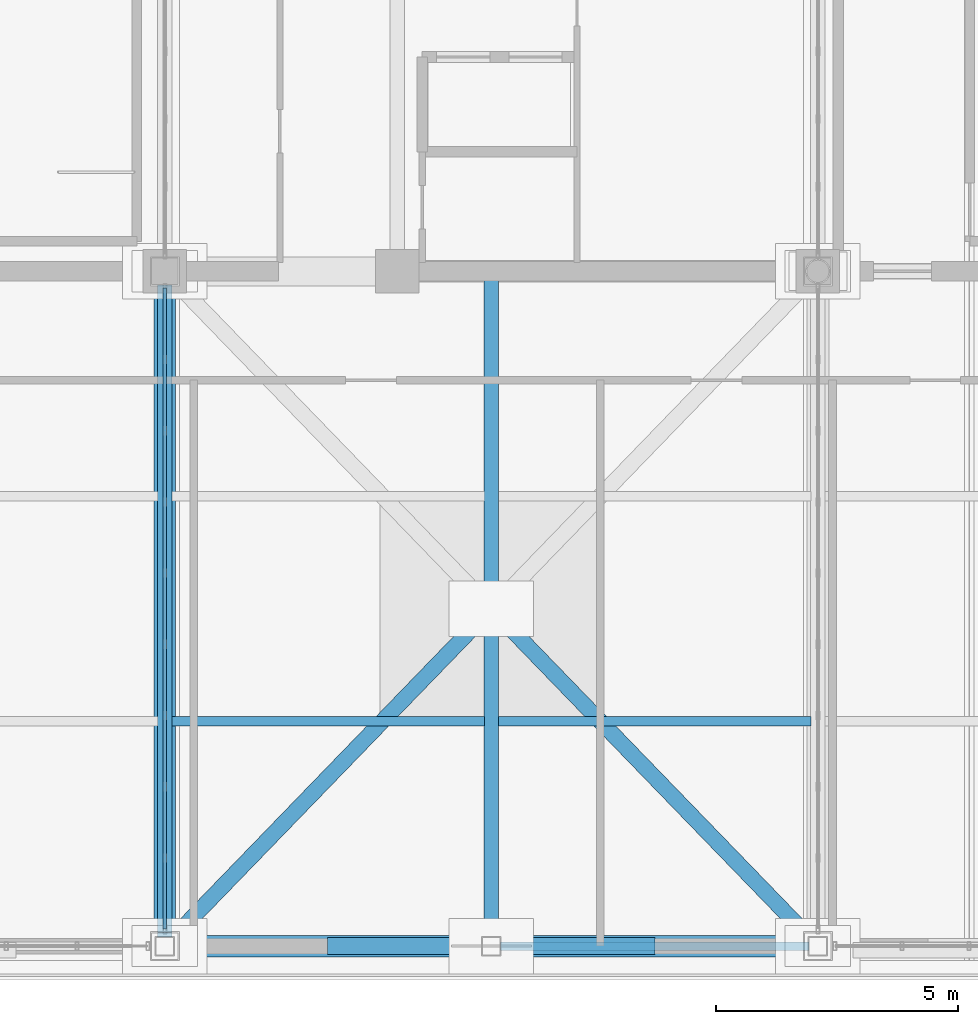
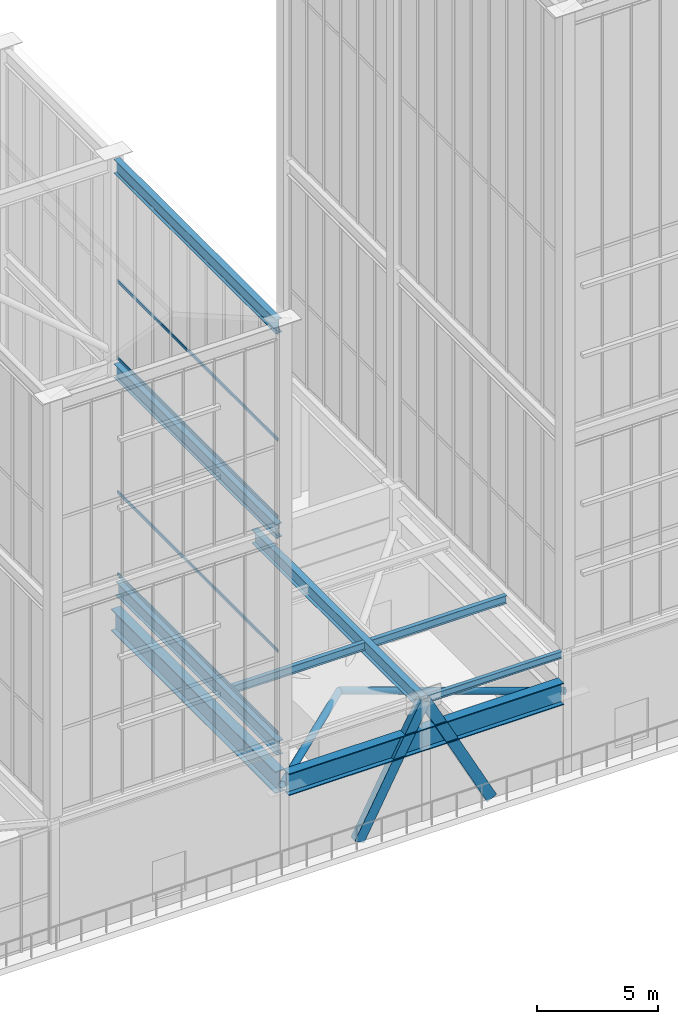
# One storey, part 14 of 135: 10 members, 9 beams, 2 elements without a shape of their own.
"""IFC4 building model written with IfcOpenShell, lengths in metres."""

from ifc_helpers import new_model, si_unit, direction, frame, origin, origin_2d, place, context, subcontext, project, spatial, hollow_rectangle, hollow_circle, i_section, extrude, source, transform, mapped, material, layer, layer_set, material_profile, profile_set, type_object, element, aggregate, save


model = new_model("IFC4")

# Units and contexts
model_context = context("Model", 3, precision=1e-05, world=origin(), true_north=direction((0.0, 1.0)))
body_context = subcontext(model_context, "Body", "Model", "MODEL_VIEW")
ifc_project = project(units=[si_unit("LENGTHUNIT", "METRE"), si_unit("AREAUNIT", "SQUARE_METRE"), si_unit("VOLUMEUNIT", "CUBIC_METRE"), si_unit("PLANEANGLEUNIT", "RADIAN"), si_unit("MASSUNIT", "GRAM", prefix="KILO")], contexts=[model_context])

# Site, building, storey
site_placement = place(None, origin())
site = spatial("IfcSite", under=ifc_project, at=site_placement, CompositionType="ELEMENT")
building_placement = place(site_placement, origin())
building = spatial("IfcBuilding", under=site, at=building_placement, Name="Giltprow Tower", CompositionType="ELEMENT")
storey_placement = place(building_placement, frame((0.0, 0.0, 352.699951171875)))
storey = spatial("IfcBuildingStorey", under=building, at=storey_placement, Name="L92", CompositionType="ELEMENT", Elevation=352.699951171875)

# Beams
ifc_material_1 = material(Name="Structural steel Q355B", Category="steel")
ifc_material_profile_1 = material_profile(ifc_material_1, i_section(OverallWidth=0.199951171875, OverallDepth=0.39990234375, WebThickness=0.008056640625, FlangeThickness=0.012939453125, at=origin_2d()), Name="HN 400x200x8x13")
ifc_profile_set_1 = profile_set([ifc_material_profile_1], Name="Structural steel Q355B")
beam_type_1 = type_object("IfcBeamType", Name="BM-JOIST-HN400", PredefinedType="JOIST", material=ifc_profile_set_1)
shared_shape_1 = source(origin(), body_context, "Body", "SweptSolid", [
    extrude(i_section(OverallWidth=0.199951171875, OverallDepth=0.39990234375, WebThickness=0.008056640625, FlangeThickness=0.012939453125, at=origin_2d()), origin(), (0.0, 0.0, 1.0), 6.4599609375),
])
for number, where, z_axis, x_axis, name in (
    (1, (30.945068359375, 28.14990234375, 5.9599609375), (1.0, 0.0, 0.0), (0.0, 1.0, 0.0), "L92 Composite Floor Joist 1-2"),
    (2, (37.695068359375, 28.14990234375, 5.9599609375), (1.0, 0.0, 0.0), (0.0, 1.0, 0.0), "L92 Composite Floor Joist 1-3"),
):
    element("IfcBeam", number, at=place(storey_placement, frame(where, z_axis=z_axis, x_axis=x_axis)), inside=storey, type_object=beam_type_1, Name=name, PredefinedType="JOIST", context=body_context, shape_type="MappedRepresentation", body=[
        mapped(shared_shape_1, transform((0.0, 0.0, 0.0), x_axis=(1.0, 0.0, 0.0), y_axis=(0.0, 1.0, 0.0), z_axis=(0.0, 0.0, 1.0), scale=1.0)),
    ])
ifc_material_profile_2 = material_profile(ifc_material_1, i_section(OverallWidth=0.175048828125, OverallDepth=0.35009765625, WebThickness=0.007080078125, FlangeThickness=0.010986328125, at=origin_2d()), Name="HN 350x175x7x11")
ifc_profile_set_2 = profile_set([ifc_material_profile_2], Name="Structural steel Q355B")
beam_type_2 = type_object("IfcBeamType", Name="BM-SPAN-HN350", PredefinedType="SPANDREL", material=ifc_profile_set_2)
shared_shape_2 = source(origin(), body_context, "Body", "SweptSolid", [
    extrude(i_section(OverallWidth=0.175048828125, OverallDepth=0.35009765625, WebThickness=0.007080078125, FlangeThickness=0.010986328125, at=origin_2d()), origin(), (0.0, 0.0, 1.0), 6.3798828125),
])
beam_1_placement = place(storey_placement, frame((37.735107421875, 23.5, 5.985107421875), z_axis=(1.0, 0.0, 0.0), x_axis=(0.0, 1.0, 0.0)))
element("IfcBeam", 3, at=beam_1_placement, inside=storey, type_object=beam_type_2, Name="L92 Perimeter Spandrel Beam S_MID-S3", PredefinedType="SPANDREL", context=body_context, shape_type="MappedRepresentation", body=[
    mapped(shared_shape_2, transform((0.0, 0.0, 0.0), x_axis=(1.0, 0.0, 0.0), y_axis=(0.0, 1.0, 0.0), z_axis=(0.0, 0.0, 1.0), scale=1.0)),
])
ifc_material_profile_3 = material_profile(ifc_material_1, i_section(OverallWidth=0.300048828125, OverallDepth=0.699951171875, WebThickness=0.012939453125, FlangeThickness=0.02392578125, at=origin_2d()), Name="HN 700x300x13x24")
ifc_profile_set_3 = profile_set([ifc_material_profile_3], Name="Structural steel Q355B")
beam_type_3 = type_object("IfcBeamType", Name="BM-GIRD-HN700", PredefinedType="BEAM", material=ifc_profile_set_3)
shared_shape_3 = source(origin(), body_context, "Body", "SweptSolid", [
    extrude(i_section(OverallWidth=0.300048828125, OverallDepth=0.699951171875, WebThickness=0.012939453125, FlangeThickness=0.02392578125, at=origin_2d()), origin(), (0.0, 0.0, 1.0), 13.329833984375),
])
beam_2_placement = place(storey_placement, frame((30.800048828125, 23.68505859375, 5.81005859375), z_axis=(0.0, 1.0, 0.0), x_axis=(-1.0, 0.0, 0.0)))
element("IfcBeam", 4, at=beam_2_placement, inside=storey, type_object=beam_type_3, Name="L92 Primary Lease Girder S2", PredefinedType="BEAM", context=body_context, shape_type="MappedRepresentation", body=[
    mapped(shared_shape_3, transform((0.0, 0.0, 0.0), x_axis=(1.0, 0.0, 0.0), y_axis=(0.0, 1.0, 0.0), z_axis=(0.0, 0.0, 1.0), scale=1.0)),
])
shared_shape_4 = source(origin(), body_context, "Body", "SweptSolid", [
    extrude(i_section(OverallWidth=0.300048828125, OverallDepth=0.699951171875, WebThickness=0.012939453125, FlangeThickness=0.02392578125, at=origin_2d()), origin(), (0.0, 0.0, 1.0), 13.949951171875),
])
beam_3_placement = place(storey_placement, frame((37.550048828125, 23.5, 5.81005859375), z_axis=(0.0, 1.0, 0.0), x_axis=(-1.0, 0.0, 0.0)))
element("IfcBeam", 5, at=beam_3_placement, inside=storey, type_object=beam_type_3, Name="L92 Central Lease Girder SMID", PredefinedType="BEAM", context=body_context, shape_type="MappedRepresentation", body=[
    mapped(shared_shape_4, transform((0.0, 0.0, 0.0), x_axis=(1.0, 0.0, 0.0), y_axis=(0.0, 1.0, 0.0), z_axis=(0.0, 0.0, 1.0), scale=1.0)),
])

# Members
ifc_material_2 = material(Name="Structural steel Q420GJC", Category="steel")
ifc_material_profile_4 = material_profile(ifc_material_2, hollow_rectangle(XDim=0.35009765625, YDim=0.5, WallThickness=0.02392578125, at=origin_2d()), Name="RHS 500x350x24")
ifc_profile_set_4 = profile_set([ifc_material_profile_4], Name="Structural steel Q420GJC")
member_type_1 = type_object("IfcMemberType", Name="MBR-MEGA-RHS500", PredefinedType="BRACE", material=ifc_profile_set_4)
shared_shape_5 = source(origin(), body_context, "Body", "SweptSolid", [
    extrude(hollow_rectangle(XDim=0.35009765625, YDim=0.5, WallThickness=0.02392578125, at=origin_2d()), origin(), (0.0, 0.0, 1.0), 6.783203125),
])
for number, where, z_axis, x_axis, name in (
    (6, (34.385986328125, 23.5, 0.0), (0.466458317736, 0.0, 0.8845431803), (0.0, 1.0, 0.0), "L92 Chevron Mega-Brace S-L"),
    (7, (40.714111328125, 23.5, 0.0), (-0.466458317736, 0.0, 0.8845431803), (0.0, -1.0, 0.0), "L92 Chevron Mega-Brace S-R"),
):
    element("IfcMember", number, at=place(storey_placement, frame(where, z_axis=z_axis, x_axis=x_axis)), inside=storey, type_object=member_type_1, Name=name, PredefinedType="BRACE", context=body_context, shape_type="MappedRepresentation", body=[
        mapped(shared_shape_5, transform((0.0, 0.0, 0.0), x_axis=(1.0, 0.0, 0.0), y_axis=(0.0, 1.0, 0.0), z_axis=(0.0, 0.0, 1.0), scale=1.0)),
    ])

# Beam
ifc_material_profile_5 = material_profile(ifc_material_2, i_section(OverallWidth=0.449951171875, OverallDepth=1.10009765625, WebThickness=0.02587890625, FlangeThickness=0.0419921875, at=origin_2d()), Name="WH 1100x450x26x42")
ifc_profile_set_5 = profile_set([ifc_material_profile_5], Name="Structural steel Q420GJC")
beam_type_4 = type_object("IfcBeamType", Name="BM-GIRD-WH1100", PredefinedType="BEAM", material=ifc_profile_set_5)
shared_shape_6 = source(origin(), body_context, "Body", "SweptSolid", [
    extrude(i_section(OverallWidth=0.449951171875, OverallDepth=1.10009765625, WebThickness=0.02587890625, FlangeThickness=0.0419921875, at=origin_2d()), origin(), (0.0, 0.0, 1.0), 13.1201171875),
])
beam_4_placement = place(storey_placement, frame((30.989990234375, 23.5, 4.10009765625), z_axis=(1.0, 0.0, 0.0), x_axis=(0.0, 1.0, 0.0)))
element("IfcBeam", 8, at=beam_4_placement, inside=storey, type_object=beam_type_4, Name="Tuned Mass Damper Gantry Beam 1", PredefinedType="BEAM", context=body_context, shape_type="MappedRepresentation", body=[
    mapped(shared_shape_6, transform((0.0, 0.0, 0.0), x_axis=(1.0, 0.0, 0.0), y_axis=(0.0, 1.0, 0.0), z_axis=(0.0, 0.0, 1.0), scale=1.0)),
])

# Members
ifc_material_profile_6 = material_profile(ifc_material_1, hollow_circle(Radius=0.16259765625, WallThickness=0.01611328125, at=origin_2d()), Name="CHS 325x16")
ifc_profile_set_6 = profile_set([ifc_material_profile_6], Name="Structural steel Q355B")
member_type_2 = type_object("IfcMemberType", Name="MBR-TMD-CHS325", PredefinedType="STRUT", material=ifc_profile_set_6)
shared_shape_7 = source(origin(), body_context, "Body", "SweptSolid", [
    extrude(hollow_circle(Radius=0.16259765625, WallThickness=0.01611328125, at=origin_2d()), origin(), (0.0, 0.0, 1.0), 9.881103515625),
])
for number, where, z_axis, x_axis, name in (
    (9, (30.800048828125, 23.5, 4.050048828125), (0.683118086482, 0.705898572439, -0.18723484011), (-0.718607007359, 0.695416399702, 0.0), "Tuned Mass Damper Suspension Strut 1"),
    (10, (44.300048828125, 23.5, 4.050048828125), (-0.683118086482, 0.705898572439, -0.18723484011), (-0.718607007359, -0.695416399702, 0.0), "Tuned Mass Damper Suspension Strut 2"),
):
    element("IfcMember", number, at=place(storey_placement, frame(where, z_axis=z_axis, x_axis=x_axis)), inside=storey, type_object=member_type_2, Name=name, PredefinedType="STRUT", context=body_context, shape_type="MappedRepresentation", body=[
        mapped(shared_shape_7, transform((0.0, 0.0, 0.0), x_axis=(1.0, 0.0, 0.0), y_axis=(0.0, 1.0, 0.0), z_axis=(0.0, 0.0, 1.0), scale=1.0)),
    ])

# Beams
shared_shape_8 = source(origin(), body_context, "Body", "SweptSolid", [
    extrude(i_section(OverallWidth=0.449951171875, OverallDepth=1.10009765625, WebThickness=0.02587890625, FlangeThickness=0.0419921875, at=origin_2d()), origin(), (0.0, 0.0, 1.0), 13.570068359375),
])
beam_5_placement = place(storey_placement, frame((30.800048828125, 37.260009765625, 4.10009765625), z_axis=(0.0, -1.0, 0.0), x_axis=(1.0, 0.0, 0.0)))
element("IfcBeam", 11, at=beam_5_placement, inside=storey, type_object=beam_type_4, Name="Tuned Mass Damper Gantry Beam 4", PredefinedType="BEAM", context=body_context, shape_type="MappedRepresentation", body=[
    mapped(shared_shape_8, transform((0.0, 0.0, 0.0), x_axis=(1.0, 0.0, 0.0), y_axis=(0.0, 1.0, 0.0), z_axis=(0.0, 0.0, 1.0), scale=1.0)),
])
ifc_material_profile_7 = material_profile(ifc_material_1, i_section(OverallWidth=0.300048828125, OverallDepth=0.699951171875, WebThickness=0.012939453125, FlangeThickness=0.02392578125, at=origin_2d()), Name="HN 700x300x13x24")
ifc_profile_set_7 = profile_set([ifc_material_profile_7], Name="Structural steel Q355B")
beam_type_5 = type_object("IfcBeamType", Name="BM-CRN-RING-HN700", PredefinedType="BEAM", material=ifc_profile_set_7)
shared_shape_9 = source(origin(), body_context, "Body", "SweptSolid", [
    extrude(i_section(OverallWidth=0.300048828125, OverallDepth=0.699951171875, WebThickness=0.012939453125, FlangeThickness=0.02392578125, at=origin_2d()), origin(), (0.0, 0.0, 1.0), 13.389892578125),
])
for number, where, z_axis, x_axis, name in (
    (12, (30.800048828125, 23.780029296875, 16.699951171875), (0.0, 1.0, 0.0), (-1.0, 0.0, 0.0), "Crown Frame West Ring Beam 1-2"),
    (13, (30.800048828125, 23.780029296875, 27.01708984375), (0.0, 1.0, 0.0), (-1.0, 0.0, 0.0), "Crown Frame West Ring Beam 2-2"),
):
    element("IfcBeam", number, at=place(storey_placement, frame(where, z_axis=z_axis, x_axis=x_axis)), inside=storey, type_object=beam_type_5, Name=name, PredefinedType="BEAM", context=body_context, shape_type="MappedRepresentation", body=[
        mapped(shared_shape_9, transform((0.0, 0.0, 0.0), x_axis=(1.0, 0.0, 0.0), y_axis=(0.0, 1.0, 0.0), z_axis=(0.0, 0.0, 1.0), scale=1.0)),
    ])

# Curtain wall, members
ifc_material_3 = material(Name="Anodized bronze", Category="metal")
ifc_layer = layer(ifc_material_3, 0.179931640625, Name="Anodized bronze")
ifc_layer_set = layer_set([ifc_layer], Name="Anodized bronze")
curtain_wall_type = type_object("IfcCurtainWallType", Name="CW-CROWN-LANTERN", PredefinedType="NOTDEFINED", material=ifc_layer_set)
curtain_wall_1_placement = place(storey_placement, origin())
curtain_wall_1 = element("IfcCurtainWall", 14, at=curtain_wall_1_placement, inside=storey, type_object=curtain_wall_type, Name="Crown West Lower Lantern Glazing 2", PredefinedType="NOTDEFINED")
ifc_material_profile_8 = material_profile(ifc_material_3, hollow_rectangle(XDim=0.06494140625, YDim=0.14990234375, WallThickness=0.006103515625, at=origin_2d()), Name="RHS 150x65x6")
ifc_profile_set_8 = profile_set([ifc_material_profile_8], Name="Anodized bronze")
member_type_3 = type_object("IfcMemberType", Name="CW-TRANSOM-150x65", PredefinedType="USERDEFINED", material=ifc_profile_set_8)
shared_shape_10 = source(origin(), body_context, "Body", "SweptSolid", [
    extrude(hollow_rectangle(XDim=0.06494140625, YDim=0.14990234375, WallThickness=0.006103515625, at=origin_2d()), origin(), (0.0, 0.0, 1.0), 13.25),
])
member_1_placement = place(storey_placement, frame((30.800048828125, 23.85009765625, 6.43994140625), z_axis=(0.0, 1.0, 0.0), x_axis=(-1.0, 0.0, 0.0)))
member_1 = element("IfcMember", 15, at=member_1_placement, type_object=member_type_3, Name="Crown West Lower Lantern Glazing 2 Transom 1", ObjectType="TRANSOM", PredefinedType="USERDEFINED", context=body_context, shape_type="MappedRepresentation", body=[
    mapped(shared_shape_10, transform((0.0, 0.0, 0.0), x_axis=(1.0, 0.0, 0.0), y_axis=(0.0, 1.0, 0.0), z_axis=(0.0, 0.0, 1.0), scale=1.0)),
])
member_2_placement = place(storey_placement, frame((30.800048828125, 23.85009765625, 10.5791015625), z_axis=(0.0, 1.0, 0.0), x_axis=(-1.0, 0.0, 0.0)))
member_2 = element("IfcMember", 16, at=member_2_placement, type_object=member_type_3, Name="Crown West Lower Lantern Glazing 2 Transom 2", ObjectType="TRANSOM", PredefinedType="USERDEFINED", context=body_context, shape_type="MappedRepresentation", body=[
    mapped(shared_shape_10, transform((0.0, 0.0, 0.0), x_axis=(1.0, 0.0, 0.0), y_axis=(0.0, 1.0, 0.0), z_axis=(0.0, 0.0, 1.0), scale=1.0)),
])
member_3_placement = place(storey_placement, frame((30.800048828125, 23.85009765625, 16.31005859375), z_axis=(0.0, 1.0, 0.0), x_axis=(-1.0, 0.0, 0.0)))
member_3 = element("IfcMember", 17, at=member_3_placement, type_object=member_type_3, Name="Crown West Lower Lantern Glazing 2 Transom 3", ObjectType="TRANSOM", PredefinedType="USERDEFINED", context=body_context, shape_type="MappedRepresentation", body=[
    mapped(shared_shape_10, transform((0.0, 0.0, 0.0), x_axis=(1.0, 0.0, 0.0), y_axis=(0.0, 1.0, 0.0), z_axis=(0.0, 0.0, 1.0), scale=1.0)),
])
aggregate(curtain_wall_1, [member_1, member_2, member_3])

curtain_wall_2_placement = place(storey_placement, origin())
curtain_wall_2 = element("IfcCurtainWall", 18, at=curtain_wall_2_placement, inside=storey, type_object=curtain_wall_type, Name="Crown West Upper Lantern Glazing 2", PredefinedType="NOTDEFINED")
member_4_placement = place(storey_placement, frame((30.800048828125, 23.85009765625, 17.340087890625), z_axis=(0.0, 1.0, 0.0), x_axis=(-1.0, 0.0, 0.0)))
member_4 = element("IfcMember", 19, at=member_4_placement, type_object=member_type_3, Name="Crown West Upper Lantern Glazing 2 Transom 1", ObjectType="TRANSOM", PredefinedType="USERDEFINED", context=body_context, shape_type="MappedRepresentation", body=[
    mapped(shared_shape_10, transform((0.0, 0.0, 0.0), x_axis=(1.0, 0.0, 0.0), y_axis=(0.0, 1.0, 0.0), z_axis=(0.0, 0.0, 1.0), scale=1.0)),
])
member_5_placement = place(storey_placement, frame((30.800048828125, 23.85009765625, 21.234130859375), z_axis=(0.0, 1.0, 0.0), x_axis=(-1.0, 0.0, 0.0)))
member_5 = element("IfcMember", 20, at=member_5_placement, type_object=member_type_3, Name="Crown West Upper Lantern Glazing 2 Transom 2", ObjectType="TRANSOM", PredefinedType="USERDEFINED", context=body_context, shape_type="MappedRepresentation", body=[
    mapped(shared_shape_10, transform((0.0, 0.0, 0.0), x_axis=(1.0, 0.0, 0.0), y_axis=(0.0, 1.0, 0.0), z_axis=(0.0, 0.0, 1.0), scale=1.0)),
])
member_6_placement = place(storey_placement, frame((30.800048828125, 23.85009765625, 26.626953125), z_axis=(0.0, 1.0, 0.0), x_axis=(-1.0, 0.0, 0.0)))
member_6 = element("IfcMember", 21, at=member_6_placement, type_object=member_type_3, Name="Crown West Upper Lantern Glazing 2 Transom 3", ObjectType="TRANSOM", PredefinedType="USERDEFINED", context=body_context, shape_type="MappedRepresentation", body=[
    mapped(shared_shape_10, transform((0.0, 0.0, 0.0), x_axis=(1.0, 0.0, 0.0), y_axis=(0.0, 1.0, 0.0), z_axis=(0.0, 0.0, 1.0), scale=1.0)),
])
aggregate(curtain_wall_2, [member_4, member_5, member_6])

save(model, "model.ifc")
